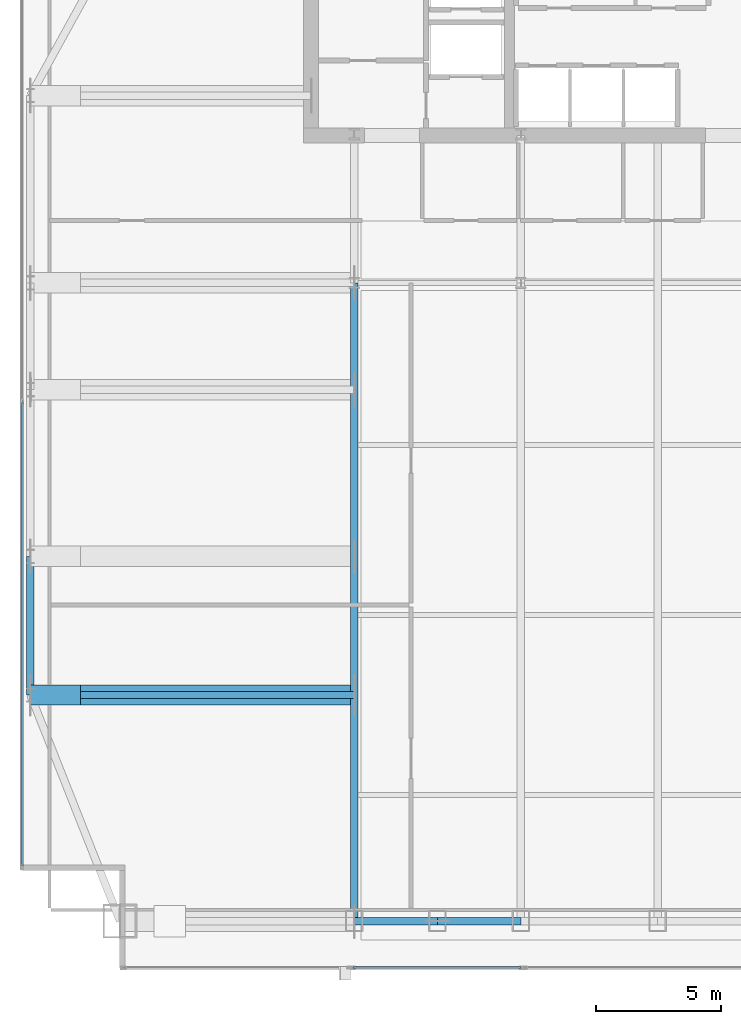
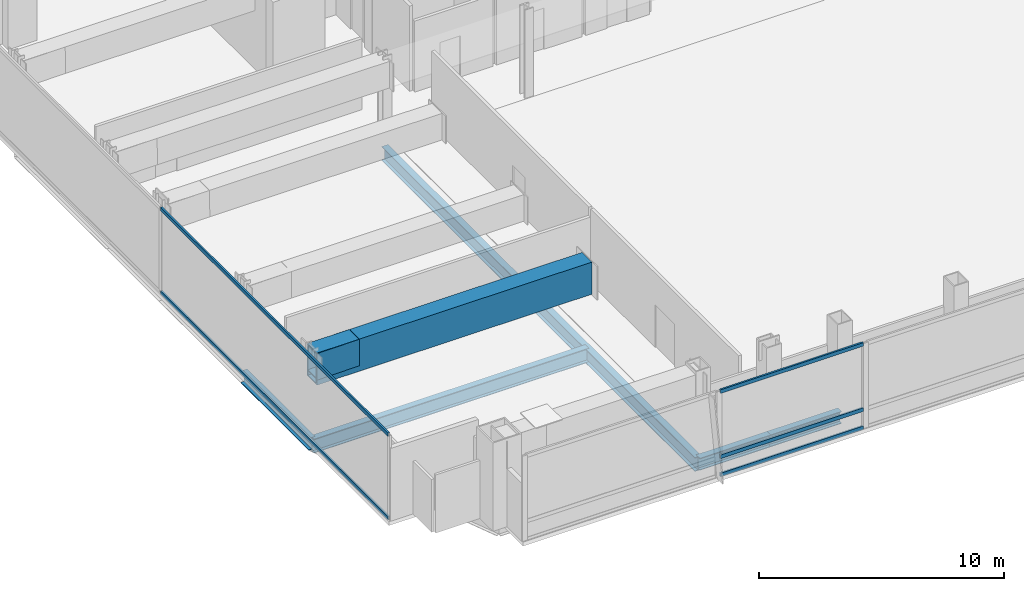
# One storey, part 6 of 25: 7 beams, 5 members, 2 elements without a shape of their own.
"""IFC4 building model written with IfcOpenShell, lengths in metres."""

from ifc_helpers import new_model, si_unit, direction, frame, origin, origin_2d, place, context, subcontext, project, spatial, hollow_rectangle, i_section, extrude, material, material_profile, profile_set, type_object, element, aggregate, save


model = new_model("IFC4")

# Units and contexts
model_context = context("Model", 3, precision=1e-05, world=origin(), true_north=direction((0.0, 1.0)))
body_context = subcontext(model_context, "Body", "Model", "MODEL_VIEW")
ifc_project = project(units=[si_unit("LENGTHUNIT", "METRE"), si_unit("AREAUNIT", "SQUARE_METRE"), si_unit("VOLUMEUNIT", "CUBIC_METRE"), si_unit("PLANEANGLEUNIT", "RADIAN"), si_unit("MASSUNIT", "GRAM", prefix="KILO")], contexts=[model_context])

# Site, building, storey
site_placement = place(None, origin())
site = spatial("IfcSite", under=ifc_project, at=site_placement, CompositionType="ELEMENT")
building_placement = place(site_placement, origin())
building = spatial("IfcBuilding", under=site, at=building_placement, Name="Khoronbel Lancet Exchange", CompositionType="ELEMENT")
storey_placement = place(building_placement, frame((0.0, 0.0, 184.199951171875)))
storey = spatial("IfcBuildingStorey", under=building, at=storey_placement, Name="L46", CompositionType="ELEMENT", Elevation=184.199951171875)

# Beams
ifc_material_1 = material(Name="Steel S355", Category="steel")
ifc_material_profile_1 = material_profile(ifc_material_1, i_section(OverallWidth=0.300048828125, OverallDepth=0.699951171875, WebThickness=0.01708984375, FlangeThickness=0.031982421875, at=origin_2d()), Name="HEB 700")
ifc_profile_set_1 = profile_set([ifc_material_profile_1], Name="Steel S355")
beam_type_1 = type_object("IfcBeamType", Name="BM-BG3", PredefinedType="BEAM", material=ifc_profile_set_1)
beam_1_placement = place(storey_placement, frame((18.22509765625, 10.14990234375, -0.550048828125), z_axis=(0.0, 1.0, 0.0), x_axis=(-1.0, 0.0, 0.0)))
element("IfcBeam", 1, at=beam_1_placement, inside=storey, type_object=beam_type_1, Name="Level L46 south primary girder GS1", PredefinedType="BEAM", context=body_context, shape_type="SweptSolid", body=[
    extrude(i_section(OverallWidth=0.300048828125, OverallDepth=0.699951171875, WebThickness=0.01708984375, FlangeThickness=0.031982421875, at=origin_2d()), origin(), (0.0, 0.0, 1.0), 25.550048828125),
])
beam_2_placement = place(storey_placement, frame((5.27001953125, 19.199951171875, -0.550048828125), z_axis=(1.0, 0.0, 0.0), x_axis=(0.0, 1.0, 0.0)))
element("IfcBeam", 2, at=beam_2_placement, inside=storey, type_object=beam_type_1, Name="Level L46 west lens tie girder LG1W", PredefinedType="BEAM", context=body_context, shape_type="SweptSolid", body=[
    extrude(i_section(OverallWidth=0.300048828125, OverallDepth=0.699951171875, WebThickness=0.01708984375, FlangeThickness=0.031982421875, at=origin_2d()), origin(), (0.0, 0.0, 1.0), 12.955078125),
])
ifc_material_profile_2 = material_profile(ifc_material_1, i_section(OverallWidth=0.300048828125, OverallDepth=0.60009765625, WebThickness=0.015380859375, FlangeThickness=0.030029296875, at=origin_2d()), Name="HEB 600")
ifc_profile_set_2 = profile_set([ifc_material_profile_2], Name="Steel S355")
beam_type_2 = type_object("IfcBeamType", Name="BM-BSP2", PredefinedType="SPANDREL", material=ifc_profile_set_2)
for number, where, z_axis, x_axis, name in (
    (3, (18.22509765625, 10.14990234375, -0.5), (1.0, 0.0, 0.0), (0.0, 1.0, 0.0), "Level L46 perimeter spandrel beam SP02"),
    (4, (21.5625, 10.14990234375, -0.5), (1.0, 0.0, 0.0), (0.0, 1.0, 0.0), "Level L46 perimeter spandrel beam SP03"),
):
    element("IfcBeam", number, at=place(storey_placement, frame(where, z_axis=z_axis, x_axis=x_axis)), inside=storey, type_object=beam_type_2, Name=name, PredefinedType="SPANDREL", context=body_context, shape_type="SweptSolid", body=[
        extrude(i_section(OverallWidth=0.300048828125, OverallDepth=0.60009765625, WebThickness=0.015380859375, FlangeThickness=0.030029296875, at=origin_2d()), origin(), (0.0, 0.0, 1.0), 3.33740234375),
    ])
beam_3_placement = place(storey_placement, frame((5.27001953125, 24.75, -0.5), z_axis=(0.0, -1.0, 0.0), x_axis=(1.0, 0.0, 0.0)))
element("IfcBeam", 5, at=beam_3_placement, inside=storey, type_object=beam_type_2, Name="Level L46 perimeter spandrel beam SP20", PredefinedType="SPANDREL", context=body_context, shape_type="SweptSolid", body=[
    extrude(i_section(OverallWidth=0.300048828125, OverallDepth=0.60009765625, WebThickness=0.015380859375, FlangeThickness=0.030029296875, at=origin_2d()), origin(), (0.0, 0.0, 1.0), 5.550048828125),
])
ifc_material_2 = material(Name="Steel S460", Category="steel")
ifc_material_profile_3 = material_profile(ifc_material_2, hollow_rectangle(XDim=0.800048828125, YDim=1.60009765625, WallThickness=0.06494140625, at=origin_2d()), Name="BOX 800x1600x65")
ifc_profile_set_3 = profile_set([ifc_material_profile_3], Name="Steel S460")
beam_type_3 = type_object("IfcBeamType", Name="BM-TG2", PredefinedType="USERDEFINED", material=ifc_profile_set_3)
beam_4_placement = place(storey_placement, frame((5.27001953125, 19.199951171875, 3.43994140625), z_axis=(1.0, 0.0, 0.0), x_axis=(0.0, 1.0, 0.0)))
element("IfcBeam", 6, at=beam_4_placement, inside=storey, type_object=beam_type_3, Name="Lens setback S460 transfer girder L46-W1", ObjectType="TRANSFER GIRDER", PredefinedType="USERDEFINED", context=body_context, shape_type="SweptSolid", body=[
    extrude(hollow_rectangle(XDim=0.800048828125, YDim=1.60009765625, WallThickness=0.06494140625, at=origin_2d()), origin(), (0.0, 0.0, 1.0), 12.955078125),
])
ifc_material_profile_4 = material_profile(ifc_material_2, hollow_rectangle(XDim=0.820068359375, YDim=1.320068359375, WallThickness=0.070068359375, at=origin_2d()), Name="BOX 820x1320x70")
ifc_profile_set_4 = profile_set([ifc_material_profile_4], Name="Steel S460")
beam_type_4 = type_object("IfcBeamType", Name="BM-TG4", PredefinedType="USERDEFINED", material=ifc_profile_set_4)
beam_5_placement = place(storey_placement, frame((5.27001953125, 19.199951171875, 3.56005859375), z_axis=(0.99994990606, 0.0, 0.010009264196), x_axis=(0.0, 1.0, 0.0)))
element("IfcBeam", 7, at=beam_5_placement, inside=storey, type_object=beam_type_4, Name="Setback transfer knee-brace girder L46-WC-1", ObjectType="TRANSFER GIRDER", PredefinedType="USERDEFINED", context=body_context, shape_type="SweptSolid", body=[
    extrude(hollow_rectangle(XDim=0.820068359375, YDim=1.320068359375, WallThickness=0.070068359375, at=origin_2d()), origin(), (0.0, 0.0, 1.0), 2.0),
])

# Curtain wall, members
ifc_material_3 = material(Name="Low-E Solar Control Insulating Glass", Category="glass")
curtain_wall_type_1 = type_object("IfcCurtainWallType", Name="CW-4", PredefinedType="NOTDEFINED", material=ifc_material_3)
curtain_wall_1_placement = place(storey_placement, origin())
curtain_wall_1 = element("IfcCurtainWall", 8, at=curtain_wall_1_placement, inside=storey, type_object=curtain_wall_type_1, Name="Unitised curtain wall CW-L46-E03", PredefinedType="NOTDEFINED")
ifc_material_4 = material(Name="Bronze-Anodised Aluminium 6063-T6", Category="aluminium")
ifc_material_profile_5 = material_profile(ifc_material_4, hollow_rectangle(XDim=0.0849609375, YDim=0.179931640625, WallThickness=0.0048828125, at=origin_2d()), Name="ALU TRANSOM 85x180")
ifc_profile_set_5 = profile_set([ifc_material_profile_5], Name="Bronze-Anodised Aluminium 6063-T6")
member_type = type_object("IfcMemberType", Name="MEM-CWT1", PredefinedType="USERDEFINED", material=ifc_profile_set_5)
member_1_placement = place(storey_placement, frame((4.93994140625, 12.364990234375, 0.04248046875), z_axis=(0.0, 1.0, 0.0), x_axis=(-1.0, 0.0, 0.0)))
member_1 = element("IfcMember", 9, at=member_1_placement, type_object=member_type, Name="CW4 transom 1.1", ObjectType="TRANSOM", PredefinedType="USERDEFINED", context=body_context, shape_type="SweptSolid", body=[
    extrude(hollow_rectangle(XDim=0.0849609375, YDim=0.179931640625, WallThickness=0.0048828125, at=origin_2d()), origin(), (0.0, 0.0, 1.0), 18.547607421875),
])
member_2_placement = place(storey_placement, frame((4.93994140625, 12.364990234375, 4.197509765625), z_axis=(0.0, 1.0, 0.0), x_axis=(-1.0, 0.0, 0.0)))
member_2 = element("IfcMember", 10, at=member_2_placement, type_object=member_type, Name="CW4 transom 1.2", ObjectType="TRANSOM", PredefinedType="USERDEFINED", context=body_context, shape_type="SweptSolid", body=[
    extrude(hollow_rectangle(XDim=0.0849609375, YDim=0.179931640625, WallThickness=0.0048828125, at=origin_2d()), origin(), (0.0, 0.0, 1.0), 18.547607421875),
])
aggregate(curtain_wall_1, [member_1, member_2])

curtain_wall_type_2 = type_object("IfcCurtainWallType", Name="CW-3", PredefinedType="NOTDEFINED", material=ifc_material_3)
curtain_wall_2_placement = place(storey_placement, origin())
curtain_wall_2 = element("IfcCurtainWall", 11, at=curtain_wall_2_placement, inside=storey, type_object=curtain_wall_type_2, Name="Unitised curtain wall CW-L46-SWB", PredefinedType="NOTDEFINED")
member_3_placement = place(storey_placement, frame((18.18505859375, 8.2900390625, 0.04248046875), z_axis=(1.0, 0.0, 0.0), x_axis=(0.0, 1.0, 0.0)))
member_3 = element("IfcMember", 12, at=member_3_placement, type_object=member_type, Name="CW3 transom 1.1", ObjectType="TRANSOM", PredefinedType="USERDEFINED", context=body_context, shape_type="SweptSolid", body=[
    extrude(hollow_rectangle(XDim=0.0849609375, YDim=0.179931640625, WallThickness=0.0048828125, at=origin_2d()), origin(), (0.0, 0.0, 1.0), 6.72998046875),
])
member_4_placement = place(storey_placement, frame((18.18505859375, 8.2900390625, 0.949951171875), z_axis=(1.0, 0.0, 0.0), x_axis=(0.0, 1.0, 0.0)))
member_4 = element("IfcMember", 13, at=member_4_placement, type_object=member_type, Name="CW3 transom 1.2", ObjectType="TRANSOM", PredefinedType="USERDEFINED", context=body_context, shape_type="SweptSolid", body=[
    extrude(hollow_rectangle(XDim=0.0849609375, YDim=0.179931640625, WallThickness=0.0048828125, at=origin_2d()), origin(), (0.0, 0.0, 1.0), 6.72998046875),
])
member_5_placement = place(storey_placement, frame((18.18505859375, 8.2900390625, 4.197509765625), z_axis=(1.0, 0.0, 0.0), x_axis=(0.0, 1.0, 0.0)))
member_5 = element("IfcMember", 14, at=member_5_placement, type_object=member_type, Name="CW3 transom 1.3", ObjectType="TRANSOM", PredefinedType="USERDEFINED", context=body_context, shape_type="SweptSolid", body=[
    extrude(hollow_rectangle(XDim=0.0849609375, YDim=0.179931640625, WallThickness=0.0048828125, at=origin_2d()), origin(), (0.0, 0.0, 1.0), 6.72998046875),
])
aggregate(curtain_wall_2, [member_3, member_4, member_5])

save(model, "model.ifc")
